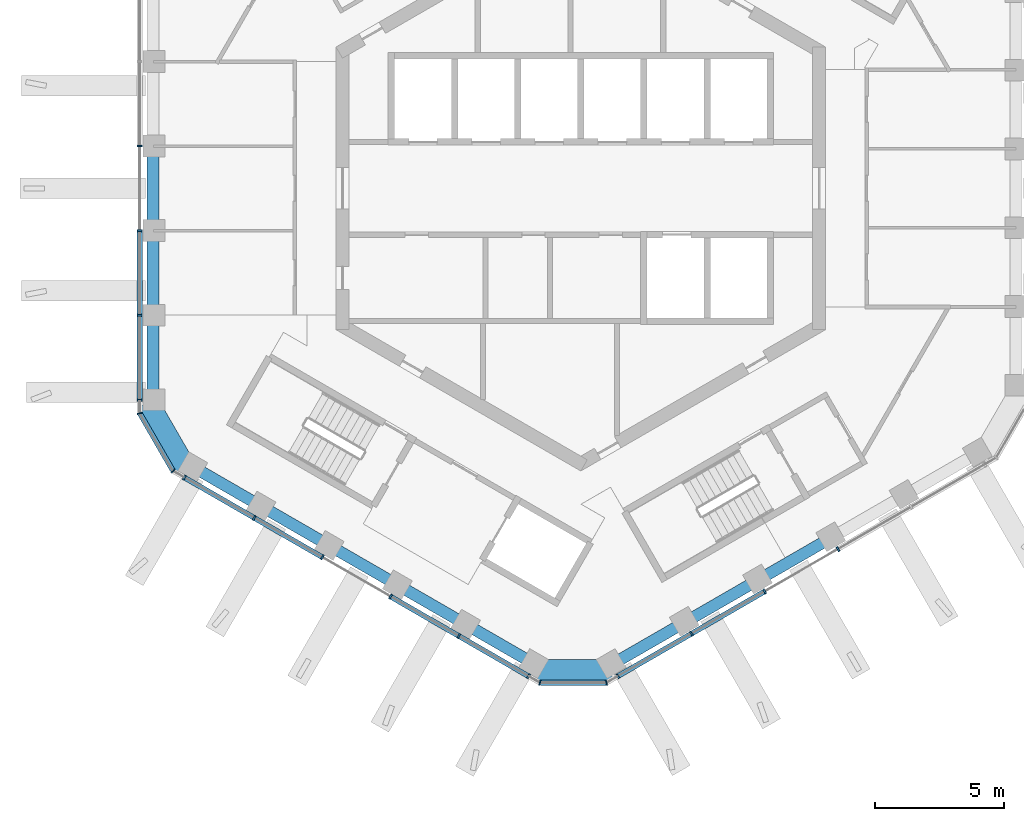
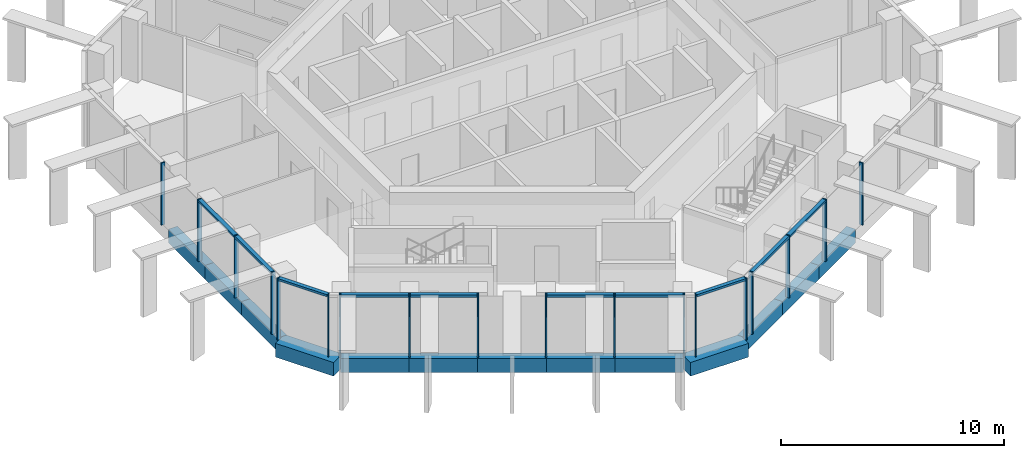
# One storey, part 2 of 19: 24 members, 13 beams, 5 elements without a shape of their own.
"""IFC4 building model written with IfcOpenShell, lengths in metres."""

from ifc_helpers import new_model, si_unit, direction, frame, origin, origin_2d, place, context, subcontext, project, spatial, rectangle, extrude, material, layer, layer_set, material_profile, profile_set, type_object, element, aggregate, save


model = new_model("IFC4")

# Units and contexts
model_context = context("Model", 3, precision=1e-05, world=origin(), true_north=direction((0.0, 1.0)))
body_context = subcontext(model_context, "Body", "Model", "MODEL_VIEW")
ifc_project = project(units=[si_unit("LENGTHUNIT", "METRE"), si_unit("AREAUNIT", "SQUARE_METRE"), si_unit("VOLUMEUNIT", "CUBIC_METRE"), si_unit("PLANEANGLEUNIT", "RADIAN"), si_unit("MASSUNIT", "GRAM", prefix="KILO")], contexts=[model_context])

# Site, building, storey
site_placement = place(None, origin())
site = spatial("IfcSite", under=ifc_project, at=site_placement, CompositionType="ELEMENT")
building_placement = place(site_placement, origin())
building = spatial("IfcBuilding", under=site, at=building_placement, Name="Ayvan Gate Tower", CompositionType="ELEMENT")
storey_placement = place(building_placement, frame((0.0, 0.0, 235.89990234375)))
storey = spatial("IfcBuildingStorey", under=building, at=storey_placement, Name="L63", CompositionType="ELEMENT", Elevation=235.89990234375)

# Beams
ifc_material_1 = material(Name="Concrete C40/50", Category="concrete")
ifc_material_profile_1 = material_profile(ifc_material_1, rectangle(XDim=0.800048828125, YDim=0.75, at=origin_2d()), Name="RC 800x750")
ifc_profile_set_1 = profile_set([ifc_material_profile_1], Name="Concrete C40/50")
beam_type_1 = type_object("IfcBeamType", Name="Corner spandrel beam RC 800x750 C40/50", PredefinedType="BEAM", material=ifc_profile_set_1)
for number, where, z_axis, x_axis, name in (
    (1, (-16.7939453125, -8.2919921875, -0.724853515625), (0.499990139034, -0.866031096941, 0.0), (0.866031096941, 0.499990139034, 0.0), "SB-L63-24"),
    (2, (-1.7841796875, -18.68994140625, -0.724853515625), (1.0, 0.0, 0.0), (0.0, 1.0, 0.0), "SB-L63-30"),
):
    element("IfcBeam", number, at=place(storey_placement, frame(where, z_axis=z_axis, x_axis=x_axis)), inside=storey, type_object=beam_type_1, Name=name, PredefinedType="BEAM", context=body_context, shape_type="SweptSolid", body=[
        extrude(rectangle(XDim=0.800048828125, YDim=0.75, at=origin_2d()), origin(), (0.0, 0.0, 1.0), 3.0),
    ])
ifc_material_profile_2 = material_profile(ifc_material_1, rectangle(XDim=0.449951171875, YDim=0.75, at=origin_2d()), Name="RC 450x750")
ifc_profile_set_2 = profile_set([ifc_material_profile_2], Name="Concrete C40/50")
beam_type_2 = type_object("IfcBeamType", Name="Spandrel beam RC 450x750 C40/50", PredefinedType="BEAM", material=ifc_profile_set_2)
beam_1_placement = place(storey_placement, frame((-16.603515625, 1.636474609375, -0.724853515625), z_axis=(0.0, -1.0, 0.0), x_axis=(1.0, 0.0, 0.0)))
element("IfcBeam", 3, at=beam_1_placement, inside=storey, type_object=beam_type_2, Name="SB-L63-21", PredefinedType="BEAM", context=body_context, shape_type="SweptSolid", body=[
    extrude(rectangle(XDim=0.449951171875, YDim=0.75, at=origin_2d()), origin(), (0.0, 0.0, 1.0), 3.27294921875),
])
for number, where, z_axis, x_axis, name in (
    (4, (-16.603515625, -1.636474609375, -0.724853515625), (0.0, -1.0, 0.0), (1.0, 0.0, 0.0), "SB-L63-22"),
    (5, (-16.603515625, -4.9091796875, -0.724853515625), (0.0, -1.0, 0.0), (1.0, 0.0, 0.0), "SB-L63-23"),
):
    element("IfcBeam", number, at=place(storey_placement, frame(where, z_axis=z_axis, x_axis=x_axis)), inside=storey, type_object=beam_type_2, Name=name, PredefinedType="BEAM", context=body_context, shape_type="SweptSolid", body=[
        extrude(rectangle(XDim=0.449951171875, YDim=0.75, at=origin_2d()), origin(), (0.0, 0.0, 1.0), 3.272705078125),
    ])
beam_2_placement = place(storey_placement, frame((-15.103515625, -10.780029296875, -0.724853515625), z_axis=(0.866026989333, -0.499997253739, 0.0), x_axis=(0.499997253739, 0.866026989333, 0.0)))
element("IfcBeam", 6, at=beam_2_placement, inside=storey, type_object=beam_type_2, Name="SB-L63-25", PredefinedType="BEAM", context=body_context, shape_type="SweptSolid", body=[
    extrude(rectangle(XDim=0.449951171875, YDim=0.75, at=origin_2d()), origin(), (0.0, 0.0, 1.0), 3.076171875),
])
for number, where, z_axis, x_axis, name in (
    (7, (-12.439453125, -12.318115234375, -0.724853515625), (0.866041515373, -0.499972092872, 0.0), (0.499972092872, 0.866041515373, 0.0), "SB-L63-26"),
    (8, (-9.775634765625, -13.85595703125, -0.724853515625), (0.866007146345, -0.50003162148, 0.0), (0.50003162148, 0.866007146345, 0.0), "SB-L63-27"),
    (9, (-7.11181640625, -15.39404296875, -0.724853515625), (0.866041515373, -0.499972092872, 0.0), (0.499972092872, 0.866041515373, 0.0), "SB-L63-28"),
    (10, (-4.447998046875, -16.931884765625, -0.724853515625), (0.866007146345, -0.50003162148, 0.0), (0.50003162148, 0.866007146345, 0.0), "SB-L63-29"),
):
    element("IfcBeam", number, at=place(storey_placement, frame(where, z_axis=z_axis, x_axis=x_axis)), inside=storey, type_object=beam_type_2, Name=name, PredefinedType="BEAM", context=body_context, shape_type="SweptSolid", body=[
        extrude(rectangle(XDim=0.449951171875, YDim=0.75, at=origin_2d()), origin(), (0.0, 0.0, 1.0), 3.075927734375),
    ])
beam_3_placement = place(storey_placement, frame((1.2158203125, -18.469970703125, -0.724853515625), z_axis=(0.866026586771, 0.499997951001, 0.0), x_axis=(-0.499997951001, 0.866026586771, 0.0)))
element("IfcBeam", 11, at=beam_3_placement, inside=storey, type_object=beam_type_2, Name="SB-L63-31", PredefinedType="BEAM", context=body_context, shape_type="SweptSolid", body=[
    extrude(rectangle(XDim=0.449951171875, YDim=0.75, at=origin_2d()), origin(), (0.0, 0.0, 1.0), 3.27294921875),
])
for number, where, z_axis, x_axis, name in (
    (12, (4.05029296875, -16.83349609375, -0.724853515625), (0.8660402394, 0.49997430308, 0.0), (-0.49997430308, 0.8660402394, 0.0), "SB-L63-32"),
    (13, (6.884521484375, -15.197265625, -0.724853515625), (0.866007936827, 0.500030252438, 0.0), (-0.500030252438, 0.866007936827, 0.0), "SB-L63-33"),
):
    element("IfcBeam", number, at=place(storey_placement, frame(where, z_axis=z_axis, x_axis=x_axis)), inside=storey, type_object=beam_type_2, Name=name, PredefinedType="BEAM", context=body_context, shape_type="SweptSolid", body=[
        extrude(rectangle(XDim=0.449951171875, YDim=0.75, at=origin_2d()), origin(), (0.0, 0.0, 1.0), 3.272705078125),
    ])

# Curtain wall, members
ifc_material_2 = material(Name="Bronze anodised aluminium", Category="aluminium")
ifc_layer_1 = layer(ifc_material_2, 0.199951171875)
ifc_layer_set_1 = layer_set([ifc_layer_1], Name="Bronze anodised aluminium")
curtain_wall_type_1 = type_object("IfcCurtainWallType", Name="Stick curtain wall CW-2", PredefinedType="NOTDEFINED", material=ifc_layer_set_1)
curtain_wall_1_placement = place(storey_placement, origin())
curtain_wall_1 = element("IfcCurtainWall", 14, at=curtain_wall_1_placement, inside=storey, type_object=curtain_wall_type_1, Name="Stick curtain wall CW-2 L63", PredefinedType="NOTDEFINED")
ifc_material_profile_3 = material_profile(ifc_material_2, rectangle(XDim=0.199951171875, YDim=0.070068359375, at=origin_2d()), Name="Stick curtain wall CW-2 mullion 200 x 70")
ifc_profile_set_3 = profile_set([ifc_material_profile_3], Name="Bronze anodised aluminium")
member_type_1 = type_object("IfcMemberType", Name="Stick curtain wall CW-2 mullion 200 x 70", PredefinedType="MULLION", material=ifc_profile_set_3)
member_1_placement = place(storey_placement, frame((-17.11572265625, 1.641357421875, 0.0), z_axis=(0.0, 0.0, 1.0), x_axis=(-1.0, 0.0, 0.0)))
member_1 = element("IfcMember", 15, at=member_1_placement, type_object=member_type_1, Name="CW-2 mullion 3", PredefinedType="MULLION", context=body_context, shape_type="SweptSolid", body=[
    extrude(rectangle(XDim=0.199951171875, YDim=0.070068359375, at=origin_2d()), origin(), (0.0, 0.0, 1.0), 3.400146484375),
])
member_2_placement = place(storey_placement, frame((-17.11572265625, -1.6416015625, 0.0), z_axis=(0.0, 0.0, 1.0), x_axis=(-1.0, 0.0, 0.0)))
member_2 = element("IfcMember", 16, at=member_2_placement, type_object=member_type_1, Name="CW-2 mullion 4", PredefinedType="MULLION", context=body_context, shape_type="SweptSolid", body=[
    extrude(rectangle(XDim=0.199951171875, YDim=0.070068359375, at=origin_2d()), origin(), (0.0, 0.0, 1.0), 3.400146484375),
])
member_3_placement = place(storey_placement, frame((-17.11572265625, -4.923583984375, 0.0), z_axis=(0.0, 0.0, 1.0), x_axis=(-1.0, 0.0, 0.0)))
member_3 = element("IfcMember", 17, at=member_3_placement, type_object=member_type_1, Name="CW-2 mullion 5", PredefinedType="MULLION", context=body_context, shape_type="SweptSolid", body=[
    extrude(rectangle(XDim=0.199951171875, YDim=0.070068359375, at=origin_2d()), origin(), (0.0, 0.0, 1.0), 3.400146484375),
])
member_4_placement = place(storey_placement, frame((-17.11572265625, -8.223388671875, 0.0), z_axis=(0.0, 0.0, 1.0), x_axis=(-1.0, 0.0, 0.0)))
member_4 = element("IfcMember", 18, at=member_4_placement, type_object=member_type_1, Name="CW-2 mullion 6", PredefinedType="MULLION", context=body_context, shape_type="SweptSolid", body=[
    extrude(rectangle(XDim=0.199951171875, YDim=0.070068359375, at=origin_2d()), origin(), (0.0, 0.0, 1.0), 3.400146484375),
])

curtain_wall_2_placement = place(storey_placement, origin())
curtain_wall_2 = element("IfcCurtainWall", 19, at=curtain_wall_2_placement, inside=storey, type_object=curtain_wall_type_1, Name="Stick curtain wall CW-2 L63", PredefinedType="NOTDEFINED")
member_5_placement = place(storey_placement, frame((-15.3828125, -11.224853515625, 0.0), z_axis=(0.0, 0.0, 1.0), x_axis=(-0.5, -0.866025403784, 0.0)))
member_5 = element("IfcMember", 20, at=member_5_placement, type_object=member_type_1, Name="CW-2 mullion 1", PredefinedType="MULLION", context=body_context, shape_type="SweptSolid", body=[
    extrude(rectangle(XDim=0.199951171875, YDim=0.070068359375, at=origin_2d()), origin(), (0.0, 0.0, 1.0), 3.400146484375),
])
member_6_placement = place(storey_placement, frame((-12.676513671875, -12.787353515625, 0.0), z_axis=(0.0, 0.0, 1.0), x_axis=(-0.5, -0.866025403784, 0.0)))
member_6 = element("IfcMember", 21, at=member_6_placement, type_object=member_type_1, Name="CW-2 mullion 2", PredefinedType="MULLION", context=body_context, shape_type="SweptSolid", body=[
    extrude(rectangle(XDim=0.199951171875, YDim=0.070068359375, at=origin_2d()), origin(), (0.0, 0.0, 1.0), 3.400146484375),
])
member_7_placement = place(storey_placement, frame((-10.02978515625, -14.3154296875, 0.0), z_axis=(0.0, 0.0, 1.0), x_axis=(-0.5, -0.866025403784, 0.0)))
member_7 = element("IfcMember", 22, at=member_7_placement, type_object=member_type_1, Name="CW-2 mullion 3", PredefinedType="MULLION", context=body_context, shape_type="SweptSolid", body=[
    extrude(rectangle(XDim=0.199951171875, YDim=0.070068359375, at=origin_2d()), origin(), (0.0, 0.0, 1.0), 3.400146484375),
])
member_8_placement = place(storey_placement, frame((-7.382568359375, -15.843994140625, 0.0), z_axis=(0.0, 0.0, 1.0), x_axis=(-0.5, -0.866025403784, 0.0)))
member_8 = element("IfcMember", 23, at=member_8_placement, type_object=member_type_1, Name="CW-2 mullion 4", PredefinedType="MULLION", context=body_context, shape_type="SweptSolid", body=[
    extrude(rectangle(XDim=0.199951171875, YDim=0.070068359375, at=origin_2d()), origin(), (0.0, 0.0, 1.0), 3.400146484375),
])
member_9_placement = place(storey_placement, frame((-4.73583984375, -17.3720703125, 0.0), z_axis=(0.0, 0.0, 1.0), x_axis=(-0.5, -0.866025403784, 0.0)))
member_9 = element("IfcMember", 24, at=member_9_placement, type_object=member_type_1, Name="CW-2 mullion 5", PredefinedType="MULLION", context=body_context, shape_type="SweptSolid", body=[
    extrude(rectangle(XDim=0.199951171875, YDim=0.070068359375, at=origin_2d()), origin(), (0.0, 0.0, 1.0), 3.400146484375),
])
member_10_placement = place(storey_placement, frame((-2.02978515625, -18.934326171875, 0.0), z_axis=(0.0, 0.0, 1.0), x_axis=(-0.5, -0.866025403784, 0.0)))
member_10 = element("IfcMember", 25, at=member_10_placement, type_object=member_type_1, Name="CW-2 mullion 6", PredefinedType="MULLION", context=body_context, shape_type="SweptSolid", body=[
    extrude(rectangle(XDim=0.199951171875, YDim=0.070068359375, at=origin_2d()), origin(), (0.0, 0.0, 1.0), 3.400146484375),
])

curtain_wall_3_placement = place(storey_placement, origin())
curtain_wall_3 = element("IfcCurtainWall", 26, at=curtain_wall_3_placement, inside=storey, type_object=curtain_wall_type_1, Name="Stick curtain wall CW-2 L63", PredefinedType="NOTDEFINED")
member_11_placement = place(storey_placement, frame((1.436279296875, -18.934326171875, 0.0), z_axis=(0.0, 0.0, 1.0), x_axis=(0.5, -0.866025403784, 0.0)))
member_11 = element("IfcMember", 27, at=member_11_placement, type_object=member_type_1, Name="CW-2 mullion 1", PredefinedType="MULLION", context=body_context, shape_type="SweptSolid", body=[
    extrude(rectangle(XDim=0.199951171875, YDim=0.070068359375, at=origin_2d()), origin(), (0.0, 0.0, 1.0), 3.400146484375),
])
member_12_placement = place(storey_placement, frame((4.294189453125, -17.284423828125, 0.0), z_axis=(0.0, 0.0, 1.0), x_axis=(0.5, -0.866025403784, 0.0)))
member_12 = element("IfcMember", 28, at=member_12_placement, type_object=member_type_1, Name="CW-2 mullion 2", PredefinedType="MULLION", context=body_context, shape_type="SweptSolid", body=[
    extrude(rectangle(XDim=0.199951171875, YDim=0.070068359375, at=origin_2d()), origin(), (0.0, 0.0, 1.0), 3.400146484375),
])
member_13_placement = place(storey_placement, frame((7.136474609375, -15.643310546875, 0.0), z_axis=(0.0, 0.0, 1.0), x_axis=(0.5, -0.866025403784, 0.0)))
member_13 = element("IfcMember", 29, at=member_13_placement, type_object=member_type_1, Name="CW-2 mullion 3", PredefinedType="MULLION", context=body_context, shape_type="SweptSolid", body=[
    extrude(rectangle(XDim=0.199951171875, YDim=0.070068359375, at=origin_2d()), origin(), (0.0, 0.0, 1.0), 3.400146484375),
])
member_14_placement = place(storey_placement, frame((9.9794921875, -14.001953125, 0.0), z_axis=(0.0, 0.0, 1.0), x_axis=(0.5, -0.866025403784, 0.0)))
member_14 = element("IfcMember", 30, at=member_14_placement, type_object=member_type_1, Name="CW-2 mullion 4", PredefinedType="MULLION", context=body_context, shape_type="SweptSolid", body=[
    extrude(rectangle(XDim=0.199951171875, YDim=0.070068359375, at=origin_2d()), origin(), (0.0, 0.0, 1.0), 3.400146484375),
])

# Member
ifc_material_profile_4 = material_profile(ifc_material_2, rectangle(XDim=0.199951171875, YDim=0.1201171875, at=origin_2d()), Name="Stick curtain wall CW-2 transom 200 x 120")
ifc_profile_set_4 = profile_set([ifc_material_profile_4], Name="Bronze anodised aluminium")
member_type_2 = type_object("IfcMemberType", Name="Stick curtain wall CW-2 transom 200 x 120", PredefinedType="USERDEFINED", material=ifc_profile_set_4)
member_15_placement = place(storey_placement, frame((-17.11572265625, -1.676513671875, 3.340087890625), z_axis=(0.0, -1.0, 0.0), x_axis=(1.0, 0.0, 0.0)))
member_15 = element("IfcMember", 31, at=member_15_placement, type_object=member_type_2, Name="CW-2 transom 2", ObjectType="TRANSOM", PredefinedType="USERDEFINED", context=body_context, shape_type="SweptSolid", body=[
    extrude(rectangle(XDim=0.199951171875, YDim=0.1201171875, at=origin_2d()), origin(), (0.0, 0.0, 1.0), 6.546875),
])

aggregate(curtain_wall_1, [member_1, member_2, member_3, member_4, member_15])

member_16_placement = place(storey_placement, frame((-15.3828125, -11.224853515625, 3.340087890625), z_axis=(0.866022190943, -0.500005564763, 0.0), x_axis=(0.500005564763, 0.866022190943, 0.0)))
member_16 = element("IfcMember", 32, at=member_16_placement, type_object=member_type_2, Name="CW-2 transom 1", ObjectType="TRANSOM", PredefinedType="USERDEFINED", context=body_context, shape_type="SweptSolid", body=[
    extrude(rectangle(XDim=0.199951171875, YDim=0.1201171875, at=origin_2d()), origin(), (0.0, 0.0, 1.0), 6.14599609375),
])

member_17_placement = place(storey_placement, frame((-7.35205078125, -15.861572265625, 3.340087890625), z_axis=(0.866029461143, -0.499992972383, 0.0), x_axis=(0.499992972383, 0.866029461143, 0.0)))
member_17 = element("IfcMember", 33, at=member_17_placement, type_object=member_type_2, Name="CW-2 transom 2", ObjectType="TRANSOM", PredefinedType="USERDEFINED", context=body_context, shape_type="SweptSolid", body=[
    extrude(rectangle(XDim=0.199951171875, YDim=0.1201171875, at=origin_2d()), origin(), (0.0, 0.0, 1.0), 6.1455078125),
])

aggregate(curtain_wall_2, [member_5, member_6, member_7, member_8, member_9, member_10, member_16, member_17])

member_18_placement = place(storey_placement, frame((1.436279296875, -18.934326171875, 3.340087890625), z_axis=(0.866031582473, 0.499989298045, 0.0), x_axis=(-0.499989298045, 0.866031582473, 0.0)))
member_18 = element("IfcMember", 34, at=member_18_placement, type_object=member_type_2, Name="CW-2 transom 1", ObjectType="TRANSOM", PredefinedType="USERDEFINED", context=body_context, shape_type="SweptSolid", body=[
    extrude(rectangle(XDim=0.199951171875, YDim=0.1201171875, at=origin_2d()), origin(), (0.0, 0.0, 1.0), 6.547119140625),
])

aggregate(curtain_wall_3, [member_11, member_12, member_13, member_14, member_18])

# Curtain wall, members
ifc_layer_2 = layer(ifc_material_2, 0.199951171875)
ifc_layer_set_2 = layer_set([ifc_layer_2], Name="Bronze anodised aluminium")
curtain_wall_type_2 = type_object("IfcCurtainWallType", Name="Stick curtain wall CW-6", PredefinedType="NOTDEFINED", material=ifc_layer_set_2)
curtain_wall_4_placement = place(storey_placement, origin())
curtain_wall_4 = element("IfcCurtainWall", 35, at=curtain_wall_4_placement, inside=storey, type_object=curtain_wall_type_2, Name="Stick curtain wall CW-6 L63", PredefinedType="NOTDEFINED")
ifc_material_profile_5 = material_profile(ifc_material_2, rectangle(XDim=0.199951171875, YDim=0.050048828125, at=origin_2d()), Name="Stick curtain wall CW-6 mullion 200 x 50")
ifc_profile_set_5 = profile_set([ifc_material_profile_5], Name="Bronze anodised aluminium")
member_type_3 = type_object("IfcMemberType", Name="Stick curtain wall CW-6 mullion 200 x 50", PredefinedType="MULLION", material=ifc_profile_set_5)
member_19_placement = place(storey_placement, frame((-17.11572265625, -8.7333984375, 0.0), z_axis=(0.0, 0.0, 1.0), x_axis=(-0.965925826289, -0.258819045103, 0.0)))
member_19 = element("IfcMember", 36, at=member_19_placement, type_object=member_type_3, Name="CW-6 mullion 2", PredefinedType="MULLION", context=body_context, shape_type="SweptSolid", body=[
    extrude(rectangle(XDim=0.199951171875, YDim=0.050048828125, at=origin_2d()), origin(), (0.0, 0.0, 1.0), 3.400146484375),
])
member_20_placement = place(storey_placement, frame((-15.824462890625, -10.969970703125, 0.0), z_axis=(0.0, 0.0, 1.0), x_axis=(-0.707106781187, -0.707106781187, 0.0)))
member_20 = element("IfcMember", 37, at=member_20_placement, type_object=member_type_3, Name="CW-6 mullion 3", PredefinedType="MULLION", context=body_context, shape_type="SweptSolid", body=[
    extrude(rectangle(XDim=0.199951171875, YDim=0.050048828125, at=origin_2d()), origin(), (0.0, 0.0, 1.0), 3.400146484375),
])

curtain_wall_5_placement = place(storey_placement, origin())
curtain_wall_5 = element("IfcCurtainWall", 38, at=curtain_wall_5_placement, inside=storey, type_object=curtain_wall_type_2, Name="Stick curtain wall CW-6 L63", PredefinedType="NOTDEFINED")
member_21_placement = place(storey_placement, frame((-1.588134765625, -19.189453125, 0.0), z_axis=(0.0, 0.0, 1.0), x_axis=(-0.258819045103, -0.965925826289, 0.0)))
member_21 = element("IfcMember", 39, at=member_21_placement, type_object=member_type_3, Name="CW-6 mullion 2", PredefinedType="MULLION", context=body_context, shape_type="SweptSolid", body=[
    extrude(rectangle(XDim=0.199951171875, YDim=0.050048828125, at=origin_2d()), origin(), (0.0, 0.0, 1.0), 3.400146484375),
])
member_22_placement = place(storey_placement, frame((0.99462890625, -19.189453125, 0.0), z_axis=(0.0, 0.0, 1.0), x_axis=(0.258819045103, -0.965925826289, 0.0)))
member_22 = element("IfcMember", 40, at=member_22_placement, type_object=member_type_3, Name="CW-6 mullion 3", PredefinedType="MULLION", context=body_context, shape_type="SweptSolid", body=[
    extrude(rectangle(XDim=0.199951171875, YDim=0.050048828125, at=origin_2d()), origin(), (0.0, 0.0, 1.0), 3.400146484375),
])

# Member
ifc_material_profile_6 = material_profile(ifc_material_2, rectangle(XDim=0.199951171875, YDim=0.1201171875, at=origin_2d()), Name="Stick curtain wall CW-6 transom 200 x 120")
ifc_profile_set_6 = profile_set([ifc_material_profile_6], Name="Bronze anodised aluminium")
member_type_4 = type_object("IfcMemberType", Name="Stick curtain wall CW-6 transom 200 x 120", PredefinedType="USERDEFINED", material=ifc_profile_set_6)
member_23_placement = place(storey_placement, frame((-17.103271484375, -8.755126953125, 3.340087890625), z_axis=(0.500047902311, -0.865997745606, 0.0), x_axis=(0.865997745606, 0.500047902311, 0.0)))
member_23 = element("IfcMember", 41, at=member_23_placement, type_object=member_type_4, Name="CW-6 transom 2", ObjectType="TRANSOM", PredefinedType="USERDEFINED", context=body_context, shape_type="SweptSolid", body=[
    extrude(rectangle(XDim=0.199951171875, YDim=0.1201171875, at=origin_2d()), origin(), (0.0, 0.0, 1.0), 2.532470703125),
])

aggregate(curtain_wall_4, [member_19, member_20, member_23])

member_24_placement = place(storey_placement, frame((-1.56298828125, -19.189453125, 3.340087890625), z_axis=(1.0, 0.0, 0.0), x_axis=(0.0, 1.0, 0.0)))
member_24 = element("IfcMember", 42, at=member_24_placement, type_object=member_type_4, Name="CW-6 transom 2", ObjectType="TRANSOM", PredefinedType="USERDEFINED", context=body_context, shape_type="SweptSolid", body=[
    extrude(rectangle(XDim=0.199951171875, YDim=0.1201171875, at=origin_2d()), origin(), (0.0, 0.0, 1.0), 2.532470703125),
])

aggregate(curtain_wall_5, [member_21, member_22, member_24])

save(model, "model.ifc")
